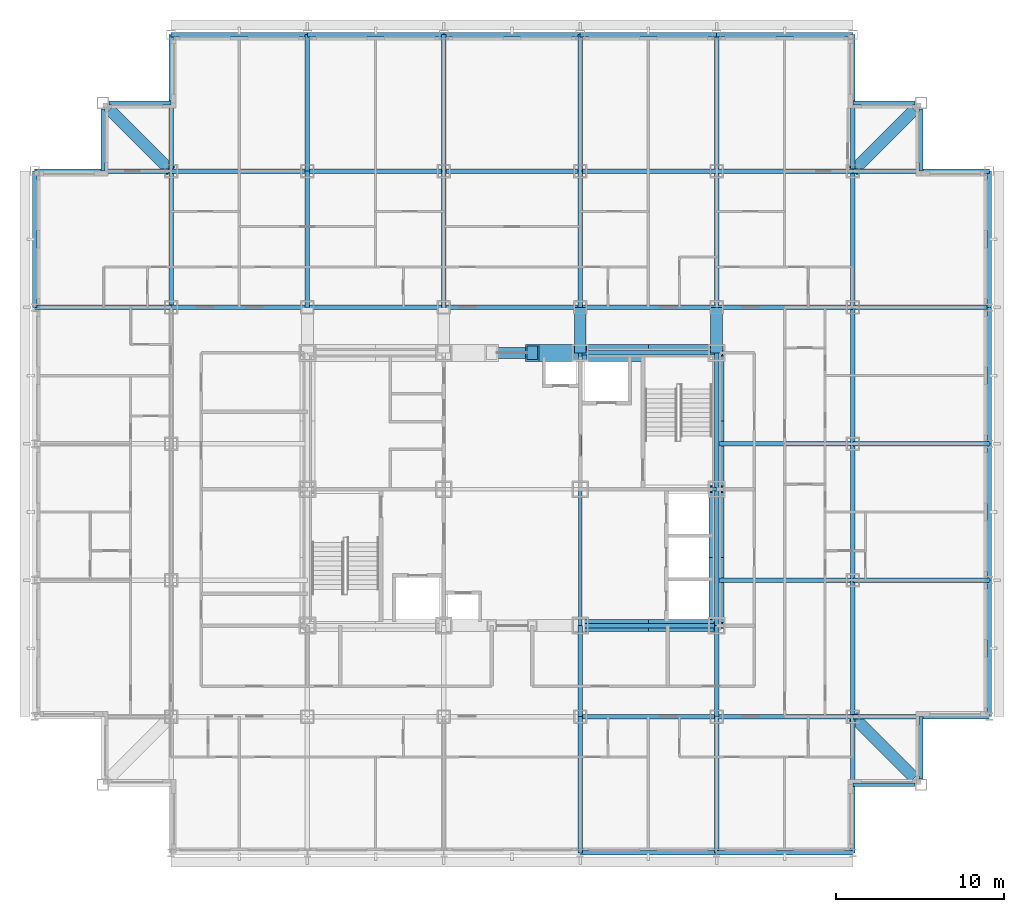
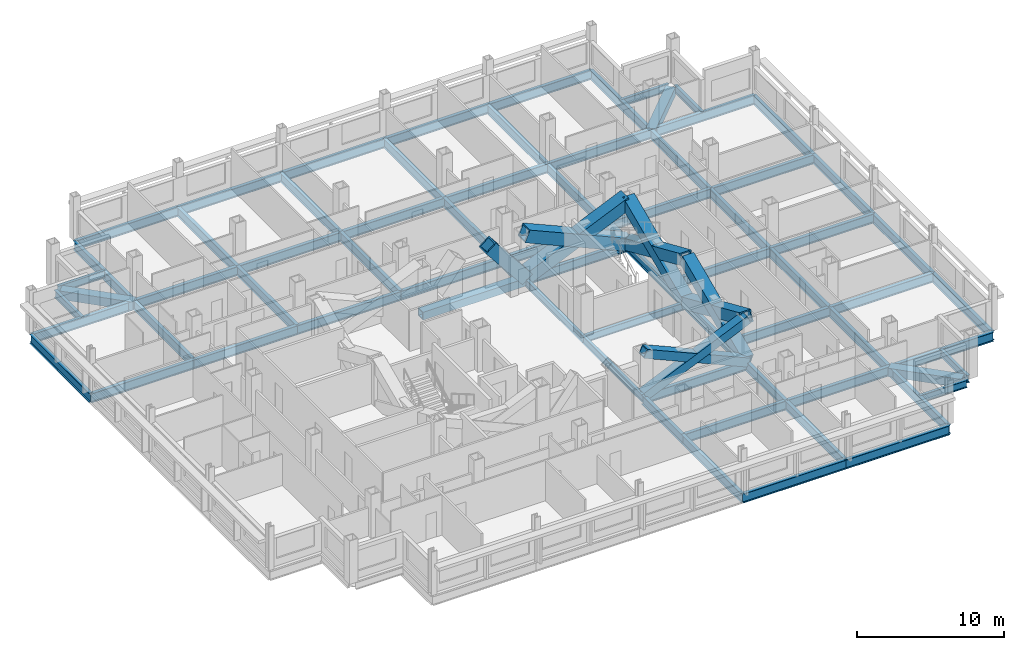
# One storey, part 2 of 12: 72 beams, 9 members.
"""IFC4 building model written with IfcOpenShell, lengths in metres."""

from ifc_helpers import new_model, si_unit, direction, frame, origin, origin_2d, place, context, subcontext, project, spatial, hollow_rectangle, i_section, extrude, material, material_profile, profile_set, type_object, element, save


model = new_model("IFC4")

# Units and contexts
model_context = context("Model", 3, precision=1e-05, world=origin(), true_north=direction((0.0, 1.0)))
body_context = subcontext(model_context, "Body", "Model", "MODEL_VIEW")
ifc_project = project(units=[si_unit("LENGTHUNIT", "METRE"), si_unit("AREAUNIT", "SQUARE_METRE"), si_unit("VOLUMEUNIT", "CUBIC_METRE"), si_unit("PLANEANGLEUNIT", "RADIAN"), si_unit("MASSUNIT", "GRAM", prefix="KILO")], contexts=[model_context])

# Site, building, storey
site_placement = place(None, origin())
site = spatial("IfcSite", under=ifc_project, at=site_placement, CompositionType="ELEMENT")
building_placement = place(site_placement, origin())
building = spatial("IfcBuilding", under=site, at=building_placement, Name="Kopane Lantern Tower", CompositionType="ELEMENT")
storey_placement = place(building_placement, frame((0.0, 0.0, 231.60009765625)))
storey = spatial("IfcBuildingStorey", under=building, at=storey_placement, Name="L60", CompositionType="ELEMENT", Elevation=231.60009765625)

# Members
ifc_material_1 = material(Name="Steel S355JR", Category="steel")
ifc_material_profile_1 = material_profile(ifc_material_1, hollow_rectangle(XDim=1.0, YDim=1.0, WallThickness=0.10009765625, at=origin_2d()), Name="BOX 1000x1000x100")
ifc_profile_set_1 = profile_set([ifc_material_profile_1], Name="Steel S355JR")
member_type_1 = type_object("IfcMemberType", Name="BRACE BOX 1000x1000x100", PredefinedType="BRACE", material=ifc_profile_set_1)
member_placement = place(storey_placement, frame((32.39990234375, 40.5, -0.210205078125), z_axis=(-0.624936586737, 0.0, 0.780675516817), x_axis=(0.0, -1.0, 0.0)))
element("IfcMember", 1, at=member_placement, inside=storey, type_object=member_type_1, Name="Core brace L60", PredefinedType="BRACE", context=body_context, shape_type="SweptSolid", body=[
    extrude(hollow_rectangle(XDim=1.0, YDim=1.0, WallThickness=0.10009765625, at=origin_2d()), origin(), (0.0, 0.0, 1.0), 4.560302734375),
])
for number, where, z_axis, x_axis, name in (
    (2, (32.39990234375, 40.5, -0.210205078125), (0.915480956597, 0.0, 0.402361302945), (0.0, 1.0, 0.0), "Core brace L60"),
    (3, (40.5, 40.5, -0.210205078125), (-0.915480956597, 0.0, 0.402361302945), (0.0, -1.0, 0.0), "Core brace L60"),
):
    element("IfcMember", number, at=place(storey_placement, frame(where, z_axis=z_axis, x_axis=x_axis)), inside=storey, type_object=member_type_1, Name=name, PredefinedType="BRACE", context=body_context, shape_type="SweptSolid", body=[
        extrude(hollow_rectangle(XDim=1.0, YDim=1.0, WallThickness=0.10009765625, at=origin_2d()), origin(), (0.0, 0.0, 1.0), 8.847900390625),
    ])
ifc_material_2 = material(Name="Steel S355JR", Category="steel")
ifc_material_profile_2 = material_profile(ifc_material_2, hollow_rectangle(XDim=0.699951171875, YDim=0.699951171875, WallThickness=0.06005859375, at=origin_2d()), Name="BOX 700x700x60")
ifc_profile_set_2 = profile_set([ifc_material_profile_2], Name="Steel S355JR")
member_type_2 = type_object("IfcMemberType", Name="BRACE BOX 700x700x60", PredefinedType="BRACE", material=ifc_profile_set_2)
for number, where, z_axis, x_axis, name in (
    (4, (32.39990234375, 24.300048828125, -0.210205078125), (0.915480956597, 0.0, 0.402361302945), (0.0, 1.0, 0.0), "Core brace L60"),
    (5, (40.5, 24.300048828125, -0.210205078125), (-0.915480956597, 0.0, 0.402361302945), (0.0, -1.0, 0.0), "Core brace L60"),
):
    element("IfcMember", number, at=place(storey_placement, frame(where, z_axis=z_axis, x_axis=x_axis)), inside=storey, type_object=member_type_2, Name=name, PredefinedType="BRACE", context=body_context, shape_type="SweptSolid", body=[
        extrude(hollow_rectangle(XDim=0.699951171875, YDim=0.699951171875, WallThickness=0.06005859375, at=origin_2d()), origin(), (0.0, 0.0, 1.0), 8.847900390625),
    ])
ifc_material_3 = material(Name="Steel S355JR", Category="steel")
ifc_material_profile_3 = material_profile(ifc_material_3, hollow_rectangle(XDim=0.89990234375, YDim=0.89990234375, WallThickness=0.090087890625, at=origin_2d()), Name="BOX 900x900x90")
ifc_profile_set_3 = profile_set([ifc_material_profile_3], Name="Steel S355JR")
member_type_3 = type_object("IfcMemberType", Name="BRACE BOX 900x900x90", PredefinedType="BRACE", material=ifc_profile_set_3)
for number, where, z_axis, x_axis, name in (
    (6, (40.5, 24.300048828125, -0.210205078125), (0.0, 0.915476489268, 0.402371467176), (-1.0, 0.0, 0.0), "Core brace L60"),
    (7, (40.5, 32.39990234375, -0.210205078125), (0.0, -0.915476489268, 0.402371467176), (1.0, 0.0, 0.0), "Core brace L60"),
):
    element("IfcMember", number, at=place(storey_placement, frame(where, z_axis=z_axis, x_axis=x_axis)), inside=storey, type_object=member_type_3, Name=name, PredefinedType="BRACE", context=body_context, shape_type="SweptSolid", body=[
        extrude(hollow_rectangle(XDim=0.89990234375, YDim=0.89990234375, WallThickness=0.090087890625, at=origin_2d()), origin(), (0.0, 0.0, 1.0), 8.84765625),
    ])
for number, where, z_axis, x_axis, name in (
    (8, (40.5, 32.39990234375, -0.210205078125), (0.0, 0.915480956597, 0.402361302945), (-1.0, 0.0, 0.0), "Core brace L60"),
    (9, (40.5, 40.5, -0.210205078125), (0.0, -0.915480956597, 0.402361302945), (1.0, 0.0, 0.0), "Core brace L60"),
):
    element("IfcMember", number, at=place(storey_placement, frame(where, z_axis=z_axis, x_axis=x_axis)), inside=storey, type_object=member_type_3, Name=name, PredefinedType="BRACE", context=body_context, shape_type="SweptSolid", body=[
        extrude(hollow_rectangle(XDim=0.89990234375, YDim=0.89990234375, WallThickness=0.090087890625, at=origin_2d()), origin(), (0.0, 0.0, 1.0), 8.847900390625),
    ])

# Beams
ifc_material_4 = material(Name="Steel S355JR", Category="steel")
ifc_material_profile_4 = material_profile(ifc_material_4, i_section(OverallWidth=0.22900390625, OverallDepth=0.6123046875, WebThickness=0.011962890625, FlangeThickness=0.01953125, FilletRadius=0.0126953125, at=origin_2d()), Name="UB 610x229x125")
ifc_profile_set_4 = profile_set([ifc_material_profile_4], Name="Steel S355JR")
beam_type_1 = type_object("IfcBeamType", Name="CORE BEAM UB 610x229x125", PredefinedType="BEAM", material=ifc_profile_set_4)
beam_1_placement = place(storey_placement, frame((32.39990234375, 24.300048828125, -0.51611328125), z_axis=(0.0, 1.0, 0.0), x_axis=(-1.0, 0.0, 0.0)))
element("IfcBeam", 10, at=beam_1_placement, inside=storey, type_object=beam_type_1, Name="Core Beam L60", PredefinedType="BEAM", context=body_context, shape_type="SweptSolid", body=[
    extrude(i_section(OverallWidth=0.22900390625, OverallDepth=0.6123046875, WebThickness=0.011962890625, FlangeThickness=0.01953125, FilletRadius=0.0126953125, at=origin_2d()), origin(), (0.0, 0.0, 1.0), 8.099853515625),
])
for number, where, z_axis, x_axis, name in (
    (11, (32.39990234375, 32.39990234375, -0.51611328125), (0.0, 1.0, 0.0), (-1.0, 0.0, 0.0), "Core Beam L60"),
    (12, (32.39990234375, 32.39990234375, -0.51611328125), (1.0, 0.0, 0.0), (0.0, 1.0, 0.0), "Core Beam L60"),
):
    element("IfcBeam", number, at=place(storey_placement, frame(where, z_axis=z_axis, x_axis=x_axis)), inside=storey, type_object=beam_type_1, Name=name, PredefinedType="BEAM", context=body_context, shape_type="SweptSolid", body=[
        extrude(i_section(OverallWidth=0.22900390625, OverallDepth=0.6123046875, WebThickness=0.011962890625, FlangeThickness=0.01953125, FilletRadius=0.0126953125, at=origin_2d()), origin(), (0.0, 0.0, 1.0), 8.10009765625),
    ])
ifc_material_5 = material(Name="Steel S355JR", Category="steel")
ifc_material_profile_5 = material_profile(ifc_material_5, hollow_rectangle(XDim=0.699951171875, YDim=0.699951171875, WallThickness=0.06005859375, at=origin_2d()), Name="BOX 700x700x60")
ifc_profile_set_5 = profile_set([ifc_material_profile_5], Name="Steel S355JR")
beam_type_2 = type_object("IfcBeamType", Name="CORNER TIE BEAM BOX 700x700x60", PredefinedType="BEAM", material=ifc_profile_set_5)
for number, where, z_axis, x_axis, name in (
    (13, (4.447509765625, 54.952392578125, -0.56005859375), (0.70713041325, -0.707083148333, 0.0), (0.707083148333, 0.70713041325, 0.0), "Corner Tie Beam L60"),
    (14, (52.25244140625, 15.24755859375, -0.56005859375), (-0.707106781187, 0.707106781187, 0.0), (-0.707106781187, -0.707106781187, 0.0), "Corner Tie Beam L60"),
    (15, (52.25244140625, 54.952392578125, -0.56005859375), (-0.707106781187, -0.707106781187, 0.0), (0.707106781187, -0.707106781187, 0.0), "Corner Tie Beam L60"),
):
    element("IfcBeam", number, at=place(storey_placement, frame(where, z_axis=z_axis, x_axis=x_axis)), inside=storey, type_object=beam_type_2, Name=name, PredefinedType="BEAM", context=body_context, shape_type="SweptSolid", body=[
        extrude(hollow_rectangle(XDim=0.699951171875, YDim=0.699951171875, WallThickness=0.06005859375, at=origin_2d()), origin(), (0.0, 0.0, 1.0), 5.165283203125),
    ])
ifc_material_6 = material(Name="Steel S355JR", Category="steel")
ifc_material_profile_6 = material_profile(ifc_material_6, i_section(OverallWidth=0.22900390625, OverallDepth=0.6123046875, WebThickness=0.011962890625, FlangeThickness=0.01953125, FilletRadius=0.0126953125, at=origin_2d()), Name="UB 610x229x125")
ifc_profile_set_6 = profile_set([ifc_material_profile_6], Name="Steel S355JR")
beam_type_3 = type_object("IfcBeamType", Name="EDGE BEAM UB 610x229x125", PredefinedType="BEAM", material=ifc_profile_set_6)
beam_2_placement = place(storey_placement, frame((4.050048828125, 55.0, -0.51611328125), z_axis=(0.0, -1.0, 0.0), x_axis=(1.0, 0.0, 0.0)))
element("IfcBeam", 16, at=beam_2_placement, inside=storey, type_object=beam_type_3, Name="Edge Beam L60", PredefinedType="BEAM", context=body_context, shape_type="SweptSolid", body=[
    extrude(i_section(OverallWidth=0.22900390625, OverallDepth=0.6123046875, WebThickness=0.011962890625, FlangeThickness=0.01953125, FilletRadius=0.0126953125, at=origin_2d()), origin(), (0.0, 0.0, 1.0), 3.699951171875),
])
beam_3_placement = place(storey_placement, frame((4.39990234375, 55.35009765625, -0.51611328125), z_axis=(1.0, 0.0, 0.0), x_axis=(0.0, 1.0, 0.0)))
element("IfcBeam", 17, at=beam_3_placement, inside=storey, type_object=beam_type_3, Name="Edge Beam L60", PredefinedType="BEAM", context=body_context, shape_type="SweptSolid", body=[
    extrude(i_section(OverallWidth=0.22900390625, OverallDepth=0.6123046875, WebThickness=0.011962890625, FlangeThickness=0.01953125, FilletRadius=0.0126953125, at=origin_2d()), origin(), (0.0, 0.0, 1.0), 3.7001953125),
])
for number, where, z_axis, x_axis, name in (
    (18, (52.300048828125, 14.85009765625, -0.51611328125), (-1.0, 0.0, 0.0), (0.0, -1.0, 0.0), "Edge Beam L60"),
    (19, (52.300048828125, 55.35009765625, -0.51611328125), (-1.0, 0.0, 0.0), (0.0, -1.0, 0.0), "Edge Beam L60"),
    (20, (52.64990234375, 15.199951171875, -0.51611328125), (0.0, 1.0, 0.0), (-1.0, 0.0, 0.0), "Edge Beam L60"),
    (21, (52.64990234375, 55.0, -0.51611328125), (0.0, -1.0, 0.0), (1.0, 0.0, 0.0), "Edge Beam L60"),
):
    element("IfcBeam", number, at=place(storey_placement, frame(where, z_axis=z_axis, x_axis=x_axis)), inside=storey, type_object=beam_type_3, Name=name, PredefinedType="BEAM", context=body_context, shape_type="SweptSolid", body=[
        extrude(i_section(OverallWidth=0.22900390625, OverallDepth=0.6123046875, WebThickness=0.011962890625, FlangeThickness=0.01953125, FilletRadius=0.0126953125, at=origin_2d()), origin(), (0.0, 0.0, 1.0), 3.699951171875),
    ])
ifc_material_7 = material(Name="Steel S355JR", Category="steel")
ifc_material_profile_7 = material_profile(ifc_material_7, hollow_rectangle(XDim=0.699951171875, YDim=0.699951171875, WallThickness=0.06005859375, at=origin_2d()), Name="BOX 700x700x60")
ifc_profile_set_7 = profile_set([ifc_material_profile_7], Name="Steel S355JR")
beam_type_4 = type_object("IfcBeamType", Name="GIRDER BOX 700x700x60", PredefinedType="BEAM", material=ifc_profile_set_7)
for number, where, z_axis, x_axis, name in (
    (22, (32.39990234375, 40.5, -0.56005859375), (0.0, 1.0, 0.0), (-1.0, 0.0, 0.0), "Girder L60"),
    (23, (40.5, 40.5, -0.56005859375), (0.0, 1.0, 0.0), (-1.0, 0.0, 0.0), "Girder L60"),
):
    element("IfcBeam", number, at=place(storey_placement, frame(where, z_axis=z_axis, x_axis=x_axis)), inside=storey, type_object=beam_type_4, Name=name, PredefinedType="BEAM", context=body_context, shape_type="SweptSolid", body=[
        extrude(hollow_rectangle(XDim=0.699951171875, YDim=0.699951171875, WallThickness=0.06005859375, at=origin_2d()), origin(), (0.0, 0.0, 1.0), 2.699951171875),
    ])
ifc_material_8 = material(Name="Steel S355JR", Category="steel")
ifc_material_profile_8 = material_profile(ifc_material_8, i_section(OverallWidth=0.2666015625, OverallDepth=0.76220703125, WebThickness=0.014404296875, FlangeThickness=0.021484375, FilletRadius=0.0166015625, at=origin_2d()), Name="UB 762x267x173")
ifc_profile_set_8 = profile_set([ifc_material_profile_8], Name="Steel S355JR")
beam_type_5 = type_object("IfcBeamType", Name="GIRDER UB 762x267x173", PredefinedType="BEAM", material=ifc_profile_set_8)
for number, where, z_axis, x_axis, name in (
    (24, (0.0, 43.199951171875, -0.59130859375), (0.0, 1.0, 0.0), (-1.0, 0.0, 0.0), "Girder L60"),
    (25, (0.0, 43.199951171875, -0.59130859375), (1.0, 0.0, 0.0), (0.0, 1.0, 0.0), "Girder L60"),
    (26, (0.0, 51.300048828125, -0.59130859375), (1.0, 0.0, 0.0), (0.0, 1.0, 0.0), "Girder L60"),
    (27, (8.10009765625, 43.199951171875, -0.59130859375), (0.0, 1.0, 0.0), (-1.0, 0.0, 0.0), "Girder L60"),
):
    element("IfcBeam", number, at=place(storey_placement, frame(where, z_axis=z_axis, x_axis=x_axis)), inside=storey, type_object=beam_type_5, Name=name, PredefinedType="BEAM", context=body_context, shape_type="SweptSolid", body=[
        extrude(i_section(OverallWidth=0.2666015625, OverallDepth=0.76220703125, WebThickness=0.014404296875, FlangeThickness=0.021484375, FilletRadius=0.0166015625, at=origin_2d()), origin(), (0.0, 0.0, 1.0), 8.10009765625),
    ])
for number, where, z_axis, x_axis, name in (
    (28, (8.10009765625, 43.199951171875, -0.59130859375), (1.0, 0.0, 0.0), (0.0, 1.0, 0.0), "Girder L60"),
    (29, (8.10009765625, 51.300048828125, -0.59130859375), (0.0, 1.0, 0.0), (-1.0, 0.0, 0.0), "Girder L60"),
    (30, (8.10009765625, 51.300048828125, -0.59130859375), (1.0, 0.0, 0.0), (0.0, 1.0, 0.0), "Girder L60"),
    (31, (8.10009765625, 59.39990234375, -0.59130859375), (1.0, 0.0, 0.0), (0.0, 1.0, 0.0), "Girder L60"),
):
    element("IfcBeam", number, at=place(storey_placement, frame(where, z_axis=z_axis, x_axis=x_axis)), inside=storey, type_object=beam_type_5, Name=name, PredefinedType="BEAM", context=body_context, shape_type="SweptSolid", body=[
        extrude(i_section(OverallWidth=0.2666015625, OverallDepth=0.76220703125, WebThickness=0.014404296875, FlangeThickness=0.021484375, FilletRadius=0.0166015625, at=origin_2d()), origin(), (0.0, 0.0, 1.0), 8.099853515625),
    ])
for number, where, z_axis, x_axis, name in (
    (32, (16.199951171875, 43.199951171875, -0.59130859375), (0.0, 1.0, 0.0), (-1.0, 0.0, 0.0), "Girder L60"),
    (33, (16.199951171875, 43.199951171875, -0.59130859375), (1.0, 0.0, 0.0), (0.0, 1.0, 0.0), "Girder L60"),
):
    element("IfcBeam", number, at=place(storey_placement, frame(where, z_axis=z_axis, x_axis=x_axis)), inside=storey, type_object=beam_type_5, Name=name, PredefinedType="BEAM", context=body_context, shape_type="SweptSolid", body=[
        extrude(i_section(OverallWidth=0.2666015625, OverallDepth=0.76220703125, WebThickness=0.014404296875, FlangeThickness=0.021484375, FilletRadius=0.0166015625, at=origin_2d()), origin(), (0.0, 0.0, 1.0), 8.10009765625),
    ])
beam_4_placement = place(storey_placement, frame((16.199951171875, 51.300048828125, -0.59130859375), z_axis=(0.0, 1.0, 0.0), x_axis=(-1.0, 0.0, 0.0)))
element("IfcBeam", 34, at=beam_4_placement, inside=storey, type_object=beam_type_5, Name="Girder L60", PredefinedType="BEAM", context=body_context, shape_type="SweptSolid", body=[
    extrude(i_section(OverallWidth=0.2666015625, OverallDepth=0.76220703125, WebThickness=0.014404296875, FlangeThickness=0.021484375, FilletRadius=0.0166015625, at=origin_2d()), origin(), (0.0, 0.0, 1.0), 8.099853515625),
])
for number, where, z_axis, x_axis, name in (
    (35, (16.199951171875, 51.300048828125, -0.59130859375), (1.0, 0.0, 0.0), (0.0, 1.0, 0.0), "Girder L60"),
    (36, (16.199951171875, 59.39990234375, -0.59130859375), (1.0, 0.0, 0.0), (0.0, 1.0, 0.0), "Girder L60"),
    (37, (24.300048828125, 43.199951171875, -0.59130859375), (0.0, 1.0, 0.0), (-1.0, 0.0, 0.0), "Girder L60"),
):
    element("IfcBeam", number, at=place(storey_placement, frame(where, z_axis=z_axis, x_axis=x_axis)), inside=storey, type_object=beam_type_5, Name=name, PredefinedType="BEAM", context=body_context, shape_type="SweptSolid", body=[
        extrude(i_section(OverallWidth=0.2666015625, OverallDepth=0.76220703125, WebThickness=0.014404296875, FlangeThickness=0.021484375, FilletRadius=0.0166015625, at=origin_2d()), origin(), (0.0, 0.0, 1.0), 8.10009765625),
    ])
for number, where, z_axis, x_axis, name in (
    (38, (24.300048828125, 43.199951171875, -0.59130859375), (1.0, 0.0, 0.0), (0.0, 1.0, 0.0), "Girder L60"),
    (39, (24.300048828125, 51.300048828125, -0.59130859375), (0.0, 1.0, 0.0), (-1.0, 0.0, 0.0), "Girder L60"),
    (40, (24.300048828125, 51.300048828125, -0.59130859375), (1.0, 0.0, 0.0), (0.0, 1.0, 0.0), "Girder L60"),
    (41, (24.300048828125, 59.39990234375, -0.59130859375), (1.0, 0.0, 0.0), (0.0, 1.0, 0.0), "Girder L60"),
    (42, (32.39990234375, 10.800048828125, -0.59130859375), (0.0, 1.0, 0.0), (-1.0, 0.0, 0.0), "Girder L60"),
):
    element("IfcBeam", number, at=place(storey_placement, frame(where, z_axis=z_axis, x_axis=x_axis)), inside=storey, type_object=beam_type_5, Name=name, PredefinedType="BEAM", context=body_context, shape_type="SweptSolid", body=[
        extrude(i_section(OverallWidth=0.2666015625, OverallDepth=0.76220703125, WebThickness=0.014404296875, FlangeThickness=0.021484375, FilletRadius=0.0166015625, at=origin_2d()), origin(), (0.0, 0.0, 1.0), 8.099853515625),
    ])
beam_5_placement = place(storey_placement, frame((32.39990234375, 10.800048828125, -0.59130859375), z_axis=(1.0, 0.0, 0.0), x_axis=(0.0, 1.0, 0.0)))
element("IfcBeam", 43, at=beam_5_placement, inside=storey, type_object=beam_type_5, Name="Girder L60", PredefinedType="BEAM", context=body_context, shape_type="SweptSolid", body=[
    extrude(i_section(OverallWidth=0.2666015625, OverallDepth=0.76220703125, WebThickness=0.014404296875, FlangeThickness=0.021484375, FilletRadius=0.0166015625, at=origin_2d()), origin(), (0.0, 0.0, 1.0), 8.10009765625),
])
beam_6_placement = place(storey_placement, frame((32.39990234375, 18.89990234375, -0.59130859375), z_axis=(0.0, 1.0, 0.0), x_axis=(-1.0, 0.0, 0.0)))
element("IfcBeam", 44, at=beam_6_placement, inside=storey, type_object=beam_type_5, Name="Girder L60", PredefinedType="BEAM", context=body_context, shape_type="SweptSolid", body=[
    extrude(i_section(OverallWidth=0.2666015625, OverallDepth=0.76220703125, WebThickness=0.014404296875, FlangeThickness=0.021484375, FilletRadius=0.0166015625, at=origin_2d()), origin(), (0.0, 0.0, 1.0), 5.400146484375),
])
for number, where, z_axis, x_axis, name in (
    (45, (32.39990234375, 18.89990234375, -0.59130859375), (1.0, 0.0, 0.0), (0.0, 1.0, 0.0), "Girder L60"),
    (46, (32.39990234375, 24.300048828125, -0.59130859375), (1.0, 0.0, 0.0), (0.0, 1.0, 0.0), "Girder L60"),
    (47, (32.39990234375, 40.5, -0.59130859375), (1.0, 0.0, 0.0), (0.0, 1.0, 0.0), "Girder L60"),
    (48, (32.39990234375, 43.199951171875, -0.59130859375), (0.0, 1.0, 0.0), (-1.0, 0.0, 0.0), "Girder L60"),
    (49, (32.39990234375, 43.199951171875, -0.59130859375), (1.0, 0.0, 0.0), (0.0, 1.0, 0.0), "Girder L60"),
):
    element("IfcBeam", number, at=place(storey_placement, frame(where, z_axis=z_axis, x_axis=x_axis)), inside=storey, type_object=beam_type_5, Name=name, PredefinedType="BEAM", context=body_context, shape_type="SweptSolid", body=[
        extrude(i_section(OverallWidth=0.2666015625, OverallDepth=0.76220703125, WebThickness=0.014404296875, FlangeThickness=0.021484375, FilletRadius=0.0166015625, at=origin_2d()), origin(), (0.0, 0.0, 1.0), 8.10009765625),
    ])
beam_7_placement = place(storey_placement, frame((32.39990234375, 51.300048828125, -0.59130859375), z_axis=(0.0, 1.0, 0.0), x_axis=(-1.0, 0.0, 0.0)))
element("IfcBeam", 50, at=beam_7_placement, inside=storey, type_object=beam_type_5, Name="Girder L60", PredefinedType="BEAM", context=body_context, shape_type="SweptSolid", body=[
    extrude(i_section(OverallWidth=0.2666015625, OverallDepth=0.76220703125, WebThickness=0.014404296875, FlangeThickness=0.021484375, FilletRadius=0.0166015625, at=origin_2d()), origin(), (0.0, 0.0, 1.0), 8.099853515625),
])
for number, where, z_axis, x_axis, name in (
    (51, (32.39990234375, 51.300048828125, -0.59130859375), (1.0, 0.0, 0.0), (0.0, 1.0, 0.0), "Girder L60"),
    (52, (32.39990234375, 59.39990234375, -0.59130859375), (1.0, 0.0, 0.0), (0.0, 1.0, 0.0), "Girder L60"),
):
    element("IfcBeam", number, at=place(storey_placement, frame(where, z_axis=z_axis, x_axis=x_axis)), inside=storey, type_object=beam_type_5, Name=name, PredefinedType="BEAM", context=body_context, shape_type="SweptSolid", body=[
        extrude(i_section(OverallWidth=0.2666015625, OverallDepth=0.76220703125, WebThickness=0.014404296875, FlangeThickness=0.021484375, FilletRadius=0.0166015625, at=origin_2d()), origin(), (0.0, 0.0, 1.0), 8.10009765625),
    ])
beam_8_placement = place(storey_placement, frame((40.5, 10.800048828125, -0.59130859375), z_axis=(0.0, 1.0, 0.0), x_axis=(-1.0, 0.0, 0.0)))
element("IfcBeam", 53, at=beam_8_placement, inside=storey, type_object=beam_type_5, Name="Girder L60", PredefinedType="BEAM", context=body_context, shape_type="SweptSolid", body=[
    extrude(i_section(OverallWidth=0.2666015625, OverallDepth=0.76220703125, WebThickness=0.014404296875, FlangeThickness=0.021484375, FilletRadius=0.0166015625, at=origin_2d()), origin(), (0.0, 0.0, 1.0), 8.099853515625),
])
beam_9_placement = place(storey_placement, frame((40.5, 10.800048828125, -0.59130859375), z_axis=(1.0, 0.0, 0.0), x_axis=(0.0, 1.0, 0.0)))
element("IfcBeam", 54, at=beam_9_placement, inside=storey, type_object=beam_type_5, Name="Girder L60", PredefinedType="BEAM", context=body_context, shape_type="SweptSolid", body=[
    extrude(i_section(OverallWidth=0.2666015625, OverallDepth=0.76220703125, WebThickness=0.014404296875, FlangeThickness=0.021484375, FilletRadius=0.0166015625, at=origin_2d()), origin(), (0.0, 0.0, 1.0), 8.10009765625),
])
beam_10_placement = place(storey_placement, frame((40.5, 18.89990234375, -0.59130859375), z_axis=(0.0, 1.0, 0.0), x_axis=(-1.0, 0.0, 0.0)))
element("IfcBeam", 55, at=beam_10_placement, inside=storey, type_object=beam_type_5, Name="Girder L60", PredefinedType="BEAM", context=body_context, shape_type="SweptSolid", body=[
    extrude(i_section(OverallWidth=0.2666015625, OverallDepth=0.76220703125, WebThickness=0.014404296875, FlangeThickness=0.021484375, FilletRadius=0.0166015625, at=origin_2d()), origin(), (0.0, 0.0, 1.0), 5.400146484375),
])
beam_11_placement = place(storey_placement, frame((40.5, 18.89990234375, -0.59130859375), z_axis=(1.0, 0.0, 0.0), x_axis=(0.0, 1.0, 0.0)))
element("IfcBeam", 56, at=beam_11_placement, inside=storey, type_object=beam_type_5, Name="Girder L60", PredefinedType="BEAM", context=body_context, shape_type="SweptSolid", body=[
    extrude(i_section(OverallWidth=0.2666015625, OverallDepth=0.76220703125, WebThickness=0.014404296875, FlangeThickness=0.021484375, FilletRadius=0.0166015625, at=origin_2d()), origin(), (0.0, 0.0, 1.0), 8.10009765625),
])
beam_12_placement = place(storey_placement, frame((40.5, 24.300048828125, -0.59130859375), z_axis=(0.0, 1.0, 0.0), x_axis=(-1.0, 0.0, 0.0)))
element("IfcBeam", 57, at=beam_12_placement, inside=storey, type_object=beam_type_5, Name="Girder L60", PredefinedType="BEAM", context=body_context, shape_type="SweptSolid", body=[
    extrude(i_section(OverallWidth=0.2666015625, OverallDepth=0.76220703125, WebThickness=0.014404296875, FlangeThickness=0.021484375, FilletRadius=0.0166015625, at=origin_2d()), origin(), (0.0, 0.0, 1.0), 8.099853515625),
])
for number, where, z_axis, x_axis, name in (
    (58, (40.5, 27.0, -0.59130859375), (1.0, 0.0, 0.0), (0.0, 1.0, 0.0), "Girder L60"),
    (59, (40.5, 32.39990234375, -0.59130859375), (0.0, 1.0, 0.0), (-1.0, 0.0, 0.0), "Girder L60"),
    (60, (40.5, 35.10009765625, -0.59130859375), (1.0, 0.0, 0.0), (0.0, 1.0, 0.0), "Girder L60"),
    (61, (40.5, 43.199951171875, -0.59130859375), (0.0, 1.0, 0.0), (-1.0, 0.0, 0.0), "Girder L60"),
    (62, (40.5, 43.199951171875, -0.59130859375), (1.0, 0.0, 0.0), (0.0, 1.0, 0.0), "Girder L60"),
):
    element("IfcBeam", number, at=place(storey_placement, frame(where, z_axis=z_axis, x_axis=x_axis)), inside=storey, type_object=beam_type_5, Name=name, PredefinedType="BEAM", context=body_context, shape_type="SweptSolid", body=[
        extrude(i_section(OverallWidth=0.2666015625, OverallDepth=0.76220703125, WebThickness=0.014404296875, FlangeThickness=0.021484375, FilletRadius=0.0166015625, at=origin_2d()), origin(), (0.0, 0.0, 1.0), 8.10009765625),
    ])
beam_13_placement = place(storey_placement, frame((40.5, 51.300048828125, -0.59130859375), z_axis=(0.0, 1.0, 0.0), x_axis=(-1.0, 0.0, 0.0)))
element("IfcBeam", 63, at=beam_13_placement, inside=storey, type_object=beam_type_5, Name="Girder L60", PredefinedType="BEAM", context=body_context, shape_type="SweptSolid", body=[
    extrude(i_section(OverallWidth=0.2666015625, OverallDepth=0.76220703125, WebThickness=0.014404296875, FlangeThickness=0.021484375, FilletRadius=0.0166015625, at=origin_2d()), origin(), (0.0, 0.0, 1.0), 8.099853515625),
])
for number, where, z_axis, x_axis, name in (
    (64, (40.5, 51.300048828125, -0.59130859375), (1.0, 0.0, 0.0), (0.0, 1.0, 0.0), "Girder L60"),
    (65, (40.5, 59.39990234375, -0.59130859375), (1.0, 0.0, 0.0), (0.0, 1.0, 0.0), "Girder L60"),
):
    element("IfcBeam", number, at=place(storey_placement, frame(where, z_axis=z_axis, x_axis=x_axis)), inside=storey, type_object=beam_type_5, Name=name, PredefinedType="BEAM", context=body_context, shape_type="SweptSolid", body=[
        extrude(i_section(OverallWidth=0.2666015625, OverallDepth=0.76220703125, WebThickness=0.014404296875, FlangeThickness=0.021484375, FilletRadius=0.0166015625, at=origin_2d()), origin(), (0.0, 0.0, 1.0), 8.10009765625),
    ])
beam_14_placement = place(storey_placement, frame((48.60009765625, 10.800048828125, -0.59130859375), z_axis=(0.0, 1.0, 0.0), x_axis=(-1.0, 0.0, 0.0)))
element("IfcBeam", 66, at=beam_14_placement, inside=storey, type_object=beam_type_5, Name="Girder L60", PredefinedType="BEAM", context=body_context, shape_type="SweptSolid", body=[
    extrude(i_section(OverallWidth=0.2666015625, OverallDepth=0.76220703125, WebThickness=0.014404296875, FlangeThickness=0.021484375, FilletRadius=0.0166015625, at=origin_2d()), origin(), (0.0, 0.0, 1.0), 8.099853515625),
])
beam_15_placement = place(storey_placement, frame((48.60009765625, 18.89990234375, -0.59130859375), z_axis=(0.0, 1.0, 0.0), x_axis=(-1.0, 0.0, 0.0)))
element("IfcBeam", 67, at=beam_15_placement, inside=storey, type_object=beam_type_5, Name="Girder L60", PredefinedType="BEAM", context=body_context, shape_type="SweptSolid", body=[
    extrude(i_section(OverallWidth=0.2666015625, OverallDepth=0.76220703125, WebThickness=0.014404296875, FlangeThickness=0.021484375, FilletRadius=0.0166015625, at=origin_2d()), origin(), (0.0, 0.0, 1.0), 8.10009765625),
])
beam_16_placement = place(storey_placement, frame((48.60009765625, 18.89990234375, -0.59130859375), z_axis=(1.0, 0.0, 0.0), x_axis=(0.0, 1.0, 0.0)))
element("IfcBeam", 68, at=beam_16_placement, inside=storey, type_object=beam_type_5, Name="Girder L60", PredefinedType="BEAM", context=body_context, shape_type="SweptSolid", body=[
    extrude(i_section(OverallWidth=0.2666015625, OverallDepth=0.76220703125, WebThickness=0.014404296875, FlangeThickness=0.021484375, FilletRadius=0.0166015625, at=origin_2d()), origin(), (0.0, 0.0, 1.0), 8.099853515625),
])
beam_17_placement = place(storey_placement, frame((48.60009765625, 27.0, -0.59130859375), z_axis=(0.0, 1.0, 0.0), x_axis=(-1.0, 0.0, 0.0)))
element("IfcBeam", 69, at=beam_17_placement, inside=storey, type_object=beam_type_5, Name="Girder L60", PredefinedType="BEAM", context=body_context, shape_type="SweptSolid", body=[
    extrude(i_section(OverallWidth=0.2666015625, OverallDepth=0.76220703125, WebThickness=0.014404296875, FlangeThickness=0.021484375, FilletRadius=0.0166015625, at=origin_2d()), origin(), (0.0, 0.0, 1.0), 8.10009765625),
])
for number, where, z_axis, x_axis, name in (
    (70, (48.60009765625, 27.0, -0.59130859375), (1.0, 0.0, 0.0), (0.0, 1.0, 0.0), "Girder L60"),
    (71, (48.60009765625, 35.10009765625, -0.59130859375), (0.0, 1.0, 0.0), (-1.0, 0.0, 0.0), "Girder L60"),
    (72, (48.60009765625, 35.10009765625, -0.59130859375), (1.0, 0.0, 0.0), (0.0, 1.0, 0.0), "Girder L60"),
):
    element("IfcBeam", number, at=place(storey_placement, frame(where, z_axis=z_axis, x_axis=x_axis)), inside=storey, type_object=beam_type_5, Name=name, PredefinedType="BEAM", context=body_context, shape_type="SweptSolid", body=[
        extrude(i_section(OverallWidth=0.2666015625, OverallDepth=0.76220703125, WebThickness=0.014404296875, FlangeThickness=0.021484375, FilletRadius=0.0166015625, at=origin_2d()), origin(), (0.0, 0.0, 1.0), 8.099853515625),
    ])
beam_18_placement = place(storey_placement, frame((48.60009765625, 43.199951171875, -0.59130859375), z_axis=(0.0, 1.0, 0.0), x_axis=(-1.0, 0.0, 0.0)))
element("IfcBeam", 73, at=beam_18_placement, inside=storey, type_object=beam_type_5, Name="Girder L60", PredefinedType="BEAM", context=body_context, shape_type="SweptSolid", body=[
    extrude(i_section(OverallWidth=0.2666015625, OverallDepth=0.76220703125, WebThickness=0.014404296875, FlangeThickness=0.021484375, FilletRadius=0.0166015625, at=origin_2d()), origin(), (0.0, 0.0, 1.0), 8.10009765625),
])
for number, where, z_axis, x_axis, name in (
    (74, (48.60009765625, 43.199951171875, -0.59130859375), (1.0, 0.0, 0.0), (0.0, 1.0, 0.0), "Girder L60"),
    (75, (48.60009765625, 51.300048828125, -0.59130859375), (0.0, 1.0, 0.0), (-1.0, 0.0, 0.0), "Girder L60"),
    (76, (48.60009765625, 51.300048828125, -0.59130859375), (1.0, 0.0, 0.0), (0.0, 1.0, 0.0), "Girder L60"),
):
    element("IfcBeam", number, at=place(storey_placement, frame(where, z_axis=z_axis, x_axis=x_axis)), inside=storey, type_object=beam_type_5, Name=name, PredefinedType="BEAM", context=body_context, shape_type="SweptSolid", body=[
        extrude(i_section(OverallWidth=0.2666015625, OverallDepth=0.76220703125, WebThickness=0.014404296875, FlangeThickness=0.021484375, FilletRadius=0.0166015625, at=origin_2d()), origin(), (0.0, 0.0, 1.0), 8.099853515625),
    ])
for number, where, z_axis, x_axis, name in (
    (77, (56.699951171875, 18.89990234375, -0.59130859375), (0.0, 1.0, 0.0), (-1.0, 0.0, 0.0), "Girder L60"),
    (78, (56.699951171875, 27.0, -0.59130859375), (0.0, 1.0, 0.0), (-1.0, 0.0, 0.0), "Girder L60"),
):
    element("IfcBeam", number, at=place(storey_placement, frame(where, z_axis=z_axis, x_axis=x_axis)), inside=storey, type_object=beam_type_5, Name=name, PredefinedType="BEAM", context=body_context, shape_type="SweptSolid", body=[
        extrude(i_section(OverallWidth=0.2666015625, OverallDepth=0.76220703125, WebThickness=0.014404296875, FlangeThickness=0.021484375, FilletRadius=0.0166015625, at=origin_2d()), origin(), (0.0, 0.0, 1.0), 8.10009765625),
    ])
beam_19_placement = place(storey_placement, frame((56.699951171875, 35.10009765625, -0.59130859375), z_axis=(0.0, 1.0, 0.0), x_axis=(-1.0, 0.0, 0.0)))
element("IfcBeam", 79, at=beam_19_placement, inside=storey, type_object=beam_type_5, Name="Girder L60", PredefinedType="BEAM", context=body_context, shape_type="SweptSolid", body=[
    extrude(i_section(OverallWidth=0.2666015625, OverallDepth=0.76220703125, WebThickness=0.014404296875, FlangeThickness=0.021484375, FilletRadius=0.0166015625, at=origin_2d()), origin(), (0.0, 0.0, 1.0), 8.099853515625),
])
beam_20_placement = place(storey_placement, frame((56.699951171875, 43.199951171875, -0.59130859375), z_axis=(0.0, 1.0, 0.0), x_axis=(-1.0, 0.0, 0.0)))
element("IfcBeam", 80, at=beam_20_placement, inside=storey, type_object=beam_type_5, Name="Girder L60", PredefinedType="BEAM", context=body_context, shape_type="SweptSolid", body=[
    extrude(i_section(OverallWidth=0.2666015625, OverallDepth=0.76220703125, WebThickness=0.014404296875, FlangeThickness=0.021484375, FilletRadius=0.0166015625, at=origin_2d()), origin(), (0.0, 0.0, 1.0), 8.10009765625),
])
ifc_material_9 = material(Name="Steel S355JR", Category="steel")
ifc_material_profile_9 = material_profile(ifc_material_9, hollow_rectangle(XDim=0.64990234375, YDim=0.64990234375, WallThickness=0.070068359375, at=origin_2d()), Name="BOX 650x650x70")
ifc_profile_set_9 = profile_set([ifc_material_profile_9], Name="Steel S355JR")
beam_type_6 = type_object("IfcBeamType", Name="LINK BEAM BOX 650x650x70", PredefinedType="BEAM", material=ifc_profile_set_9)
beam_21_placement = place(storey_placement, frame((24.300048828125, 40.5, -0.53515625), z_axis=(1.0, 0.0, 0.0), x_axis=(0.0, 1.0, 0.0)))
element("IfcBeam", 81, at=beam_21_placement, inside=storey, type_object=beam_type_6, Name="Link Beam L60", PredefinedType="BEAM", context=body_context, shape_type="SweptSolid", body=[
    extrude(hollow_rectangle(XDim=0.64990234375, YDim=0.64990234375, WallThickness=0.070068359375, at=origin_2d()), origin(), (0.0, 0.0, 1.0), 8.099853515625),
])

save(model, "model.ifc")
